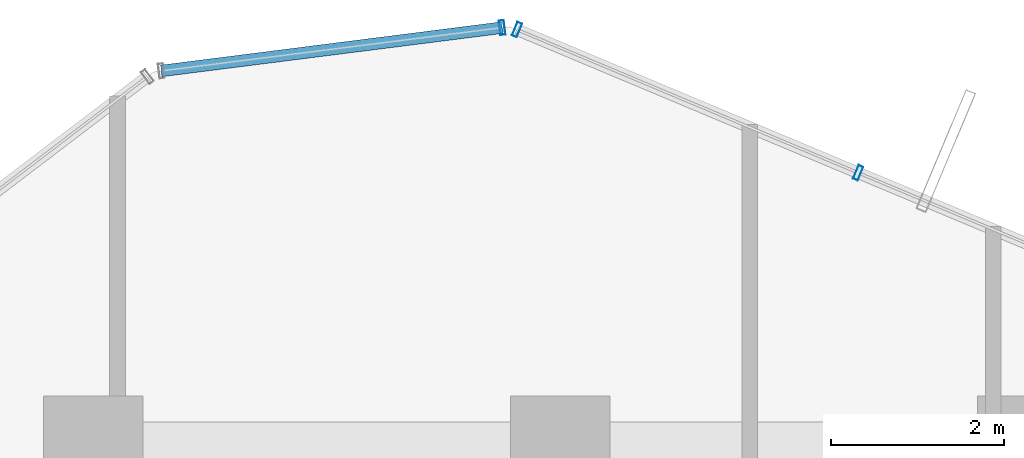
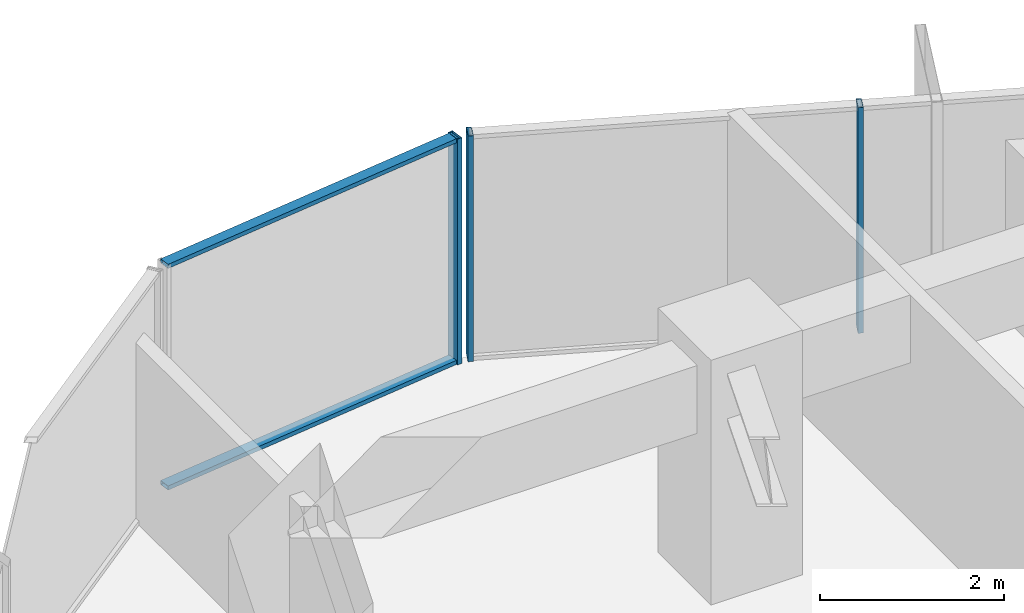
# One storey, part 26 of 33: 5 members, 2 elements without a shape of their own.
"""IFC4 building model written with IfcOpenShell, lengths in metres."""

from ifc_helpers import new_model, si_unit, direction, frame, origin, origin_2d, place, context, subcontext, project, spatial, hollow_rectangle, extrude, source, transform, mapped, material, layer, layer_set, material_profile, profile_set, type_object, element, aggregate, save


model = new_model("IFC4")

# Units and contexts
model_context = context("Model", 3, precision=1e-05, world=origin(), true_north=direction((0.0, 1.0)))
body_context = subcontext(model_context, "Body", "Model", "MODEL_VIEW")
ifc_project = project(units=[si_unit("LENGTHUNIT", "METRE"), si_unit("AREAUNIT", "SQUARE_METRE"), si_unit("VOLUMEUNIT", "CUBIC_METRE"), si_unit("PLANEANGLEUNIT", "RADIAN"), si_unit("MASSUNIT", "GRAM", prefix="KILO")], contexts=[model_context])

# Site, building, storey
site_placement = place(None, origin())
site = spatial("IfcSite", under=ifc_project, at=site_placement, CompositionType="ELEMENT")
building_placement = place(site_placement, origin())
building = spatial("IfcBuilding", under=site, at=building_placement, Name="Veraguas Prism Commons", CompositionType="ELEMENT")
storey_placement = place(building_placement, frame((0.0, 0.0, 152.25)))
storey = spatial("IfcBuildingStorey", under=building, at=storey_placement, Name="L43", CompositionType="ELEMENT", Elevation=152.25)

# Curtain wall, members
ifc_material = material(Name="Anodised aluminium EN AW-6063 T6", Category="aluminium")
ifc_layer = layer(ifc_material, 0.169921875, Name="Unitised Flush Curtain Wall Zone 2", Category="aluminium")
ifc_layer_set = layer_set([ifc_layer], Name="Anodised aluminium EN AW-6063 T6")
curtain_wall_type = type_object("IfcCurtainWallType", Name="Unitised Flush Curtain Wall Zone 2", PredefinedType="NOTDEFINED", material=ifc_layer_set)
curtain_wall_1_placement = place(storey_placement, origin())
curtain_wall_1 = element("IfcCurtainWall", 1, at=curtain_wall_1_placement, inside=storey, type_object=curtain_wall_type, Name="Tower Facade Curtain Wall L43-F1", PredefinedType="NOTDEFINED")
ifc_material_profile_1 = material_profile(ifc_material, hollow_rectangle(XDim=0.06005859375, YDim=0.169921875, WallThickness=0.00390625, at=origin_2d()), Name="AL60X170X4")
ifc_profile_set_1 = profile_set([ifc_material_profile_1], Name="Anodised aluminium EN AW-6063 T6")
member_type_1 = type_object("IfcMemberType", Name="Curtain Wall Mullion Lower AL 60x170x4", PredefinedType="MULLION", material=ifc_profile_set_1)
shared_shape_1 = source(origin(), body_context, "Body", "SweptSolid", [
    extrude(hollow_rectangle(XDim=0.06005859375, YDim=0.169921875, WallThickness=0.00390625, at=origin_2d()), origin(), (0.0, 0.0, 1.0), 3.0),
])
member_1_placement = place(storey_placement, frame((27.447998046875, 43.355712890625, 0.0), z_axis=(0.0, 0.0, 1.0), x_axis=(-0.922132113386, 0.38687512903, 0.0)))
member_1 = element("IfcMember", 2, at=member_1_placement, type_object=member_type_1, Name="CW-Z2 Mullion 4", PredefinedType="MULLION", context=body_context, shape_type="MappedRepresentation", body=[
    mapped(shared_shape_1, transform((0.0, 0.0, 0.0), scale=1.0)),
])
member_2_placement = place(storey_placement, frame((23.502685546875, 45.010986328125, 0.0), z_axis=(0.0, 0.0, 1.0), x_axis=(-0.922132113386, 0.38687512903, 0.0)))
member_2 = element("IfcMember", 3, at=member_2_placement, type_object=member_type_1, Name="CW-Z2 Mullion 5", PredefinedType="MULLION", context=body_context, shape_type="MappedRepresentation", body=[
    mapped(shared_shape_1, transform((0.0, 0.0, 0.0), scale=1.0)),
])
aggregate(curtain_wall_1, [member_1, member_2])

curtain_wall_2_placement = place(storey_placement, origin())
curtain_wall_2 = element("IfcCurtainWall", 4, at=curtain_wall_2_placement, inside=storey, type_object=curtain_wall_type, Name="Chamfer Curtain Wall L43-C2", PredefinedType="NOTDEFINED")
member_3_placement = place(storey_placement, frame((23.330322265625, 45.034423828125, 0.0), z_axis=(0.0, 0.0, 1.0), x_axis=(-0.992029599707, -0.126005052697, 0.0)))
member_3 = element("IfcMember", 5, at=member_3_placement, type_object=member_type_1, Name="CW-Z2 Mullion 1", PredefinedType="MULLION", context=body_context, shape_type="MappedRepresentation", body=[
    mapped(shared_shape_1, transform((0.0, 0.0, 0.0), scale=1.0)),
])
ifc_material_profile_2 = material_profile(ifc_material, hollow_rectangle(XDim=0.054931640625, YDim=0.135009765625, WallThickness=0.0029296875, at=origin_2d()), Name="AL55X135X3")
ifc_profile_set_2 = profile_set([ifc_material_profile_2], Name="Anodised aluminium EN AW-6063 T6")
member_type_2 = type_object("IfcMemberType", Name="Curtain Wall Transom Standard AL 55x135x3", PredefinedType="USERDEFINED", material=ifc_profile_set_2)
shared_shape_2 = source(origin(), body_context, "Body", "SweptSolid", [
    extrude(hollow_rectangle(XDim=0.054931640625, YDim=0.135009765625, WallThickness=0.0029296875, at=origin_2d()), origin(), (0.0, 0.0, 1.0), 3.97314453125),
])
member_4_placement = place(storey_placement, frame((23.330322265625, 45.034423828125, 0.027587890625), z_axis=(-0.992026292104, -0.126031090505, 0.0), x_axis=(0.0, 0.0, 1.0)))
member_4 = element("IfcMember", 6, at=member_4_placement, type_object=member_type_2, Name="CW-Z2 Transom 1", ObjectType="TRANSOM", PredefinedType="USERDEFINED", context=body_context, shape_type="MappedRepresentation", body=[
    mapped(shared_shape_2, transform((0.0, 0.0, 0.0), scale=1.0)),
])
member_5_placement = place(storey_placement, frame((23.330322265625, 45.034423828125, 2.972412109375), z_axis=(-0.992026292104, -0.126031090505, 0.0), x_axis=(0.0, 0.0, 1.0)))
member_5 = element("IfcMember", 7, at=member_5_placement, type_object=member_type_2, Name="CW-Z2 Transom 2", ObjectType="TRANSOM", PredefinedType="USERDEFINED", context=body_context, shape_type="MappedRepresentation", body=[
    mapped(shared_shape_2, transform((0.0, 0.0, 0.0), scale=1.0)),
])
aggregate(curtain_wall_2, [member_3, member_4, member_5])

save(model, "model.ifc")
